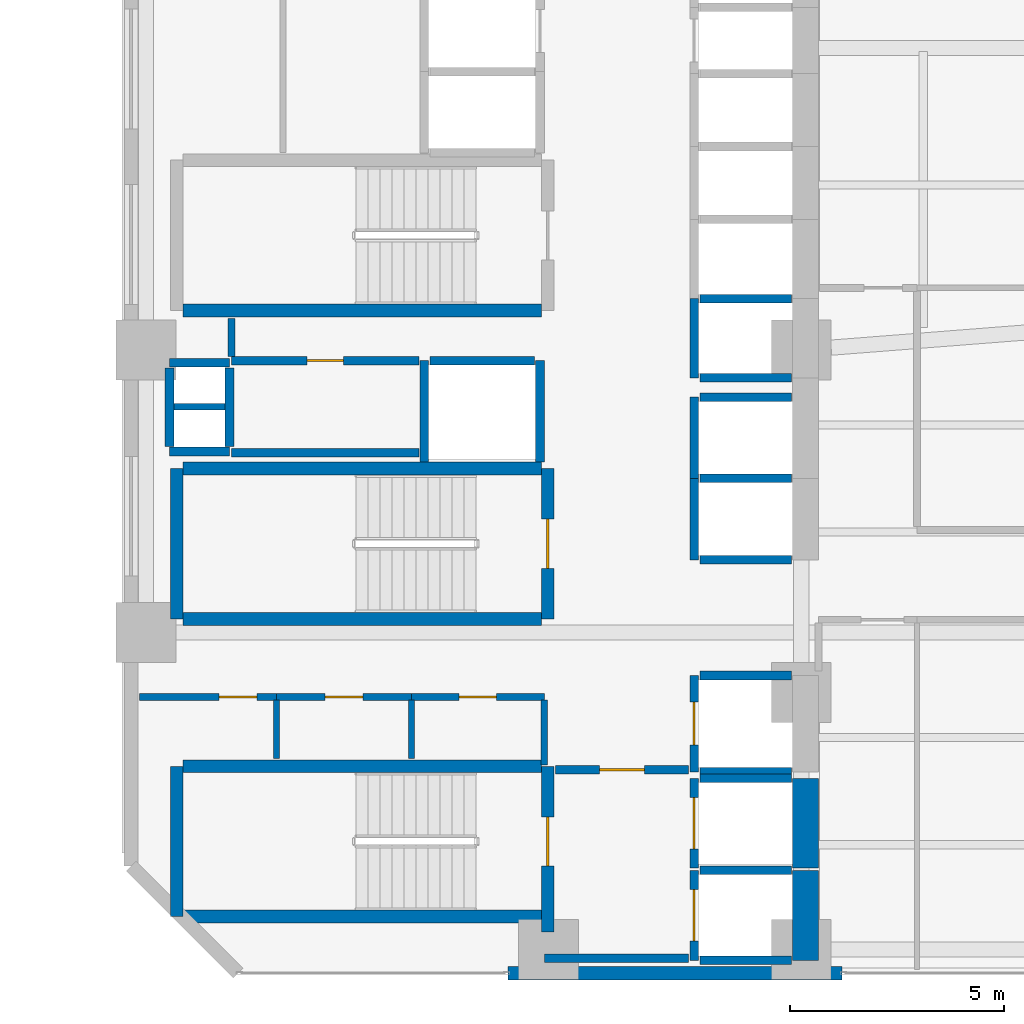
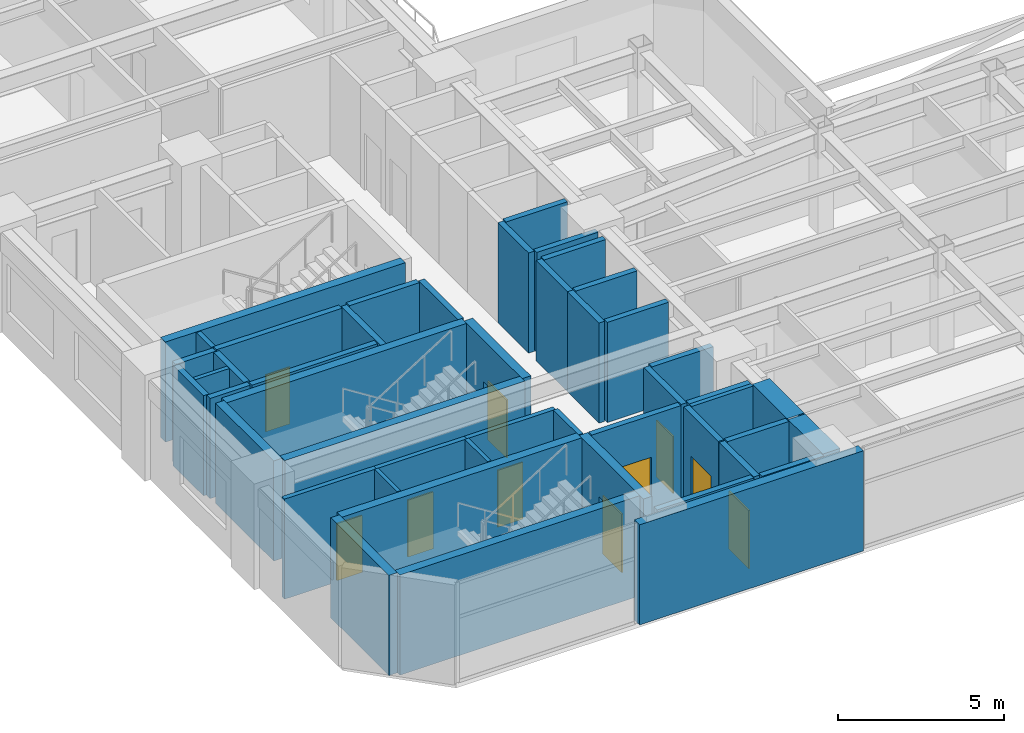
# One storey, part 9 of 17: 47 walls, 10 doors, 10 openings.
"""IFC4 building model written with IfcOpenShell, lengths in metres."""

from ifc_helpers import new_model, si_unit, direction, frame, frame_2d, origin, place, context, subcontext, project, spatial, rectangle, extrude, material, layer, layer_set, type_object, element, fill, save


model = new_model("IFC4")

# Units and contexts
model_context = context("Model", 3, precision=1e-05, world=origin(), true_north=direction((0.0, 1.0)))
body_context = subcontext(model_context, "Body", "Model", "MODEL_VIEW")
ifc_project = project(units=[si_unit("LENGTHUNIT", "METRE"), si_unit("AREAUNIT", "SQUARE_METRE"), si_unit("VOLUMEUNIT", "CUBIC_METRE"), si_unit("PLANEANGLEUNIT", "RADIAN"), si_unit("MASSUNIT", "GRAM", prefix="KILO")], contexts=[model_context])

# Site, building, storey
site_placement = place(None, origin())
site = spatial("IfcSite", under=ifc_project, at=site_placement, CompositionType="ELEMENT")
building_placement = place(site_placement, origin())
building = spatial("IfcBuilding", under=site, at=building_placement, Name="Mawjaban Terraces University", CompositionType="ELEMENT")
storey_placement = place(building_placement, frame((0.0, 0.0, 85.60009765625)))
storey = spatial("IfcBuildingStorey", under=building, at=storey_placement, Name="L20", CompositionType="ELEMENT", Elevation=85.60009765625)

# Walls
ifc_material_1 = material(Name="Concrete C70/85", Category="concrete")
ifc_layer_1 = layer(ifc_material_1, 0.60009765625)
ifc_layer_set_1 = layer_set([ifc_layer_1], Name="Concrete C70/85")
wall_type_1 = type_object("IfcWallType", Name="CoreShearWall_600", PredefinedType="SHEAR", material=ifc_layer_set_1)
wall_1_placement = place(storey_placement, frame((37.75, 0.300048828125, 0.0), z_axis=(0.0, 0.0, 1.0), x_axis=(0.0, 1.0, 0.0)))
element("IfcWall", 1, at=wall_1_placement, inside=storey, type_object=wall_type_1, Name="L20 Lift FL-1 Hoistway Wall East", PredefinedType="SHEAR", context=body_context, shape_type="SweptSolid", body=[
    extrude(rectangle(XDim=2.099853515625, YDim=0.60009765625, at=frame_2d((1.0498046875, 0.0))), origin(), (0.0, 0.0, 1.0), 3.68994140625),
])
wall_2_placement = place(storey_placement, frame((37.75, 2.449951171875, 0.0), z_axis=(0.0, 0.0, 1.0), x_axis=(0.0, 1.0, 0.0)))
element("IfcWall", 2, at=wall_2_placement, inside=storey, type_object=wall_type_1, Name="L20 Lift FL-2 Hoistway Wall East", PredefinedType="SHEAR", context=body_context, shape_type="SweptSolid", body=[
    extrude(rectangle(XDim=2.10009765625, YDim=0.60009765625, at=frame_2d((1.050048828125, 0.0))), origin(), (0.0, 0.0, 1.0), 3.68994140625),
])

# Wall, opening, door
ifc_material_2 = material(Name="Fire-rated gypsum board on steel stud", Category="steel")
ifc_layer_2 = layer(ifc_material_2, 0.159912109375)
ifc_layer_set_2 = layer_set([ifc_layer_2], Name="Fire-rated gypsum board on steel stud")
wall_type_2 = type_object("IfcWallType", Name="CorridorPartition_160", PredefinedType="PARTITIONING", material=ifc_layer_set_2)
wall_3_placement = place(storey_placement, frame((22.199951171875, 6.449951171875, 0.0), z_axis=(0.0, 0.0, 1.0), x_axis=(1.0, 0.0, 0.0)))
wall_3 = element("IfcWall", 3, at=wall_3_placement, inside=storey, type_object=wall_type_2, Name="L20 Core Washroom Lobby Partition 1", PredefinedType="PARTITIONING", context=body_context, shape_type="SweptSolid", body=[
    extrude(rectangle(XDim=3.199951171875, YDim=0.159912109375, at=frame_2d((1.60009765625, 0.0))), origin(), (0.0, 0.0, 1.0), 3.68994140625),
])
opening_1_placement = place(wall_3_placement, frame((1.860107421875, 0.0, 0.0)))
opening_1 = element("IfcOpeningElement", 4, at=opening_1_placement, cuts=wall_3, Name="Opening ID-088", PredefinedType="OPENING", context=body_context, shape_type="SweptSolid", body=[
    extrude(rectangle(XDim=0.8798828125, YDim=2.10009765625, at=frame_2d((0.43994140625, 1.050048828125))), frame((0.0, 0.08984375, 0.0), z_axis=(0.0, -1.0, 0.0), x_axis=(1.0, 0.0, 0.0)), (0.0, 0.0, 1.0), 0.179931640625),
])
ifc_material_3 = material(Name="Powder-coated steel frame and solid acoustic timber leaf", Category="steel")
door_type_1 = type_object("IfcDoorType", Name="ToiletDoor_880x2100", OperationType="NOTDEFINED", PredefinedType="DOOR", material=ifc_material_3)
door_1_placement = place(opening_1_placement, origin())
door_1 = element("IfcDoor", 5, at=door_1_placement, inside=storey, type_object=door_type_1, Name="L20 Male Toilet Door", OperationType="SINGLE_SWING_LEFT", OverallHeight=2.10009765625, OverallWidth=0.8798828125, PredefinedType="DOOR", context=body_context, shape_type="SweptSolid", body=[
    extrude(rectangle(XDim=0.8798828125, YDim=2.10009765625, at=frame_2d((0.43994140625, 1.050048828125))), frame((0.0, 0.02490234375, 0.0), z_axis=(0.0, -1.0, 0.0), x_axis=(1.0, 0.0, 0.0)), (0.0, 0.0, 1.0), 0.050048828125),
])
fill(opening_1, door_1)

wall_4_placement = place(storey_placement, frame((25.39990234375, 6.449951171875, 0.0), z_axis=(0.0, 0.0, 1.0), x_axis=(1.0, 0.0, 0.0)))
wall_4 = element("IfcWall", 6, at=wall_4_placement, inside=storey, type_object=wall_type_2, Name="L20 Core Washroom Lobby Partition 4", PredefinedType="PARTITIONING", context=body_context, shape_type="SweptSolid", body=[
    extrude(rectangle(XDim=3.150146484375, YDim=0.159912109375, at=frame_2d((1.5751953125, 0.0))), origin(), (0.0, 0.0, 1.0), 3.68994140625),
])
opening_2_placement = place(wall_4_placement, frame((1.135009765625, 0.0, 0.0)))
opening_2 = element("IfcOpeningElement", 7, at=opening_2_placement, cuts=wall_4, Name="Opening ID-088", PredefinedType="OPENING", context=body_context, shape_type="SweptSolid", body=[
    extrude(rectangle(XDim=0.8798828125, YDim=2.10009765625, at=frame_2d((0.43994140625, 1.050048828125))), frame((0.0, 0.08984375, 0.0), z_axis=(0.0, -1.0, 0.0), x_axis=(1.0, 0.0, 0.0)), (0.0, 0.0, 1.0), 0.179931640625),
])
door_2_placement = place(opening_2_placement, origin())
door_2 = element("IfcDoor", 8, at=door_2_placement, inside=storey, type_object=door_type_1, Name="L20 Female Toilet Door", OperationType="SINGLE_SWING_RIGHT", OverallHeight=2.10009765625, OverallWidth=0.8798828125, PredefinedType="DOOR", context=body_context, shape_type="SweptSolid", body=[
    extrude(rectangle(XDim=0.8798828125, YDim=2.10009765625, at=frame_2d((0.43994140625, 1.050048828125))), frame((0.0, 0.02490234375, 0.0), z_axis=(0.0, -1.0, 0.0), x_axis=(1.0, 0.0, 0.0)), (0.0, 0.0, 1.0), 0.050048828125),
])
fill(opening_2, door_2)

wall_5_placement = place(storey_placement, frame((28.550048828125, 6.449951171875, 0.0), z_axis=(0.0, 0.0, 1.0), x_axis=(1.0, 0.0, 0.0)))
wall_5 = element("IfcWall", 9, at=wall_5_placement, inside=storey, type_object=wall_type_2, Name="L20 Core Washroom Lobby Partition 6", PredefinedType="PARTITIONING", context=body_context, shape_type="SweptSolid", body=[
    extrude(rectangle(XDim=3.099853515625, YDim=0.159912109375, at=frame_2d((1.5498046875, 0.0))), origin(), (0.0, 0.0, 1.0), 3.68994140625),
])
opening_3_placement = place(wall_5_placement, frame((1.110107421875, 0.0, 0.0)))
opening_3 = element("IfcOpeningElement", 10, at=opening_3_placement, cuts=wall_5, Name="Opening ID-088", PredefinedType="OPENING", context=body_context, shape_type="SweptSolid", body=[
    extrude(rectangle(XDim=0.8798828125, YDim=2.10009765625, at=frame_2d((0.43994140625, 1.050048828125))), frame((0.0, 0.08984375, 0.0), z_axis=(0.0, -1.0, 0.0), x_axis=(1.0, 0.0, 0.0)), (0.0, 0.0, 1.0), 0.179931640625),
])
door_3_placement = place(opening_3_placement, origin())
door_3 = element("IfcDoor", 11, at=door_3_placement, inside=storey, type_object=door_type_1, Name="L20 Accessible Toilet Door", OperationType="SINGLE_SWING_LEFT", OverallHeight=2.10009765625, OverallWidth=0.8798828125, PredefinedType="DOOR", context=body_context, shape_type="SweptSolid", body=[
    extrude(rectangle(XDim=0.8798828125, YDim=2.10009765625, at=frame_2d((0.43994140625, 1.050048828125))), frame((0.0, 0.02490234375, 0.0), z_axis=(0.0, -1.0, 0.0), x_axis=(1.0, 0.0, 0.0)), (0.0, 0.0, 1.0), 0.050048828125),
])
fill(opening_3, door_3)

# Walls
wall_6_placement = place(storey_placement, frame((24.35009765625, 15.2900390625, 0.0), z_axis=(0.0, 0.0, 1.0), x_axis=(0.0, -1.0, 0.0)))
element("IfcWall", 12, at=wall_6_placement, inside=storey, type_object=wall_type_2, Name="L20 Core Riser Access Passage Partition 29", PredefinedType="PARTITIONING", context=body_context, shape_type="SweptSolid", body=[
    extrude(rectangle(XDim=0.89501953125, YDim=0.159912109375, at=frame_2d((0.447509765625, 0.0))), origin(), (0.0, 0.0, 1.0), 3.68994140625),
])
wall_7_placement = place(storey_placement, frame((31.64990234375, 4.860107421875, 0.0), z_axis=(0.0, 0.0, 1.0), x_axis=(0.0, 1.0, 0.0)))
element("IfcWall", 13, at=wall_7_placement, inside=storey, type_object=wall_type_2, Name="L20 Accessible Toilet Partition 40", PredefinedType="PARTITIONING", context=body_context, shape_type="SweptSolid", body=[
    extrude(rectangle(XDim=1.514892578125, YDim=0.159912109375, at=frame_2d((0.75732421875, 0.0))), origin(), (0.0, 0.0, 1.0), 3.68994140625),
])
ifc_material_4 = material(Name="Insulated terracotta rainscreen on concrete backup C40/50", Category="masonry")
ifc_layer_3 = layer(ifc_material_4, 0.320068359375)
ifc_layer_set_3 = layer_set([ifc_layer_3], Name="Insulated terracotta rainscreen on concrete backup C40/50")
wall_type_3 = type_object("IfcWallType", Name="ExtTerracottaWall_320", PredefinedType="SOLIDWALL", material=ifc_layer_set_3)
wall_8_placement = place(storey_placement, frame((30.800048828125, 0.0, 0.0), z_axis=(0.0, 0.0, 1.0), x_axis=(1.0, 0.0, 0.0)))
element("IfcWall", 14, at=wall_8_placement, inside=storey, type_object=wall_type_3, Name="L20 Exterior Terracotta Pier Wall 1.1", PredefinedType="SOLIDWALL", context=body_context, shape_type="SweptSolid", body=[
    extrude(rectangle(XDim=7.800048828125, YDim=0.320068359375, at=frame_2d((3.89990234375, 0.0))), origin(), (0.0, 0.0, 1.0), 3.68994140625),
])

# Wall, opening, door
ifc_material_5 = material(Name="Concrete C40/50", Category="concrete")
ifc_layer_4 = layer(ifc_material_5, 0.199951171875)
ifc_layer_set_4 = layer_set([ifc_layer_4], Name="Concrete C40/50")
wall_type_4 = type_object("IfcWallType", Name="FireLobbyWall_200", PredefinedType="SOLIDWALL", material=ifc_layer_set_4)
wall_9_placement = place(storey_placement, frame((35.14990234375, 2.39990234375, 0.0), z_axis=(0.0, 0.0, 1.0), x_axis=(0.0, -1.0, 0.0)))
wall_9 = element("IfcWall", 15, at=wall_9_placement, inside=storey, type_object=wall_type_4, Name="L20 Lift FL-1 Hoistway Wall West", PredefinedType="SOLIDWALL", context=body_context, shape_type="SweptSolid", body=[
    extrude(rectangle(XDim=2.099853515625, YDim=0.199951171875, at=frame_2d((1.0498046875, 0.0))), origin(), (0.0, 0.0, 1.0), 3.68994140625),
])
opening_4_placement = place(wall_9_placement, frame((0.449951171875, 0.0, 0.0)))
opening_4 = element("IfcOpeningElement", 16, at=opening_4_placement, cuts=wall_9, Name="Opening LD-FL-1", PredefinedType="OPENING", context=body_context, shape_type="SweptSolid", body=[
    extrude(rectangle(XDim=1.199951171875, YDim=2.14990234375, at=frame_2d((0.60009765625, 1.074951171875))), frame((0.0, 0.10986328125, 0.0), z_axis=(0.0, -1.0, 0.0), x_axis=(1.0, 0.0, 0.0)), (0.0, 0.0, 1.0), 0.219970703125),
])
ifc_material_6 = material(Name="Powder-coated steel frame and fire-rated steel-faced leaf", Category="steel")
door_type_2 = type_object("IfcDoorType", Name="LiftLandingFSAE_1200x2150", OperationType="NOTDEFINED", PredefinedType="DOOR", material=ifc_material_6)
door_4_placement = place(opening_4_placement, origin())
door_4 = element("IfcDoor", 17, at=door_4_placement, inside=storey, type_object=door_type_2, Name="L20 Lift FL-1 Sliding Landing Door", OperationType="DOUBLE_DOOR_SLIDING", OverallHeight=2.14990234375, OverallWidth=1.199951171875, PredefinedType="DOOR", context=body_context, shape_type="SweptSolid", body=[
    extrude(rectangle(XDim=1.199951171875, YDim=2.14990234375, at=frame_2d((0.60009765625, 1.074951171875))), frame((0.0, 0.02490234375, 0.0), z_axis=(0.0, -1.0, 0.0), x_axis=(1.0, 0.0, 0.0)), (0.0, 0.0, 1.0), 0.050048828125),
])
fill(opening_4, door_4)

# Walls
for number, where, z_axis, x_axis, name in (
    (18, (35.280029296875, 0.300048828125, 0.0), (0.0, 0.0, 1.0), (1.0, 0.0, 0.0), "L20 Lift FL-1 Hoistway Wall South"),
    (19, (37.419921875, 2.39990234375, 0.0), (0.0, 0.0, 1.0), (-1.0, 0.0, 0.0), "L20 Lift FL-1 Hoistway Wall North"),
):
    element("IfcWall", number, at=place(storey_placement, frame(where, z_axis=z_axis, x_axis=x_axis)), inside=storey, type_object=wall_type_4, Name=name, PredefinedType="SOLIDWALL", context=body_context, shape_type="SweptSolid", body=[
        extrude(rectangle(XDim=2.139892578125, YDim=0.199951171875, at=frame_2d((1.06982421875, 0.0))), origin(), (0.0, 0.0, 1.0), 3.68994140625),
    ])

# Wall, opening, door
wall_10_placement = place(storey_placement, frame((35.14990234375, 4.550048828125, 0.0), z_axis=(0.0, 0.0, 1.0), x_axis=(0.0, -1.0, 0.0)))
wall_10 = element("IfcWall", 20, at=wall_10_placement, inside=storey, type_object=wall_type_4, Name="L20 Lift FL-2 Hoistway Wall West", PredefinedType="SOLIDWALL", context=body_context, shape_type="SweptSolid", body=[
    extrude(rectangle(XDim=2.10009765625, YDim=0.199951171875, at=frame_2d((1.050048828125, 0.0))), origin(), (0.0, 0.0, 1.0), 3.68994140625),
])
opening_5_placement = place(wall_10_placement, frame((0.449951171875, 0.0, 0.0)))
opening_5 = element("IfcOpeningElement", 21, at=opening_5_placement, cuts=wall_10, Name="Opening LD-FL-2", PredefinedType="OPENING", context=body_context, shape_type="SweptSolid", body=[
    extrude(rectangle(XDim=1.199951171875, YDim=2.14990234375, at=frame_2d((0.60009765625, 1.074951171875))), frame((0.0, 0.10986328125, 0.0), z_axis=(0.0, -1.0, 0.0), x_axis=(1.0, 0.0, 0.0)), (0.0, 0.0, 1.0), 0.219970703125),
])
door_5_placement = place(opening_5_placement, origin())
door_5 = element("IfcDoor", 22, at=door_5_placement, inside=storey, type_object=door_type_2, Name="L20 Lift FL-2 Sliding Landing Door", OperationType="DOUBLE_DOOR_SLIDING", OverallHeight=2.14990234375, OverallWidth=1.199951171875, PredefinedType="DOOR", context=body_context, shape_type="SweptSolid", body=[
    extrude(rectangle(XDim=1.199951171875, YDim=2.14990234375, at=frame_2d((0.60009765625, 1.074951171875))), frame((0.0, 0.02490234375, 0.0), z_axis=(0.0, -1.0, 0.0), x_axis=(1.0, 0.0, 0.0)), (0.0, 0.0, 1.0), 0.050048828125),
])
fill(opening_5, door_5)

# Wall
wall_11_placement = place(storey_placement, frame((37.419921875, 4.550048828125, 0.0), z_axis=(0.0, 0.0, 1.0), x_axis=(-1.0, 0.0, 0.0)))
element("IfcWall", 23, at=wall_11_placement, inside=storey, type_object=wall_type_4, Name="L20 Lift FL-2 Hoistway Wall North", PredefinedType="SOLIDWALL", context=body_context, shape_type="SweptSolid", body=[
    extrude(rectangle(XDim=2.139892578125, YDim=0.199951171875, at=frame_2d((1.06982421875, 0.0))), origin(), (0.0, 0.0, 1.0), 3.68994140625),
])

# Wall, opening, door
wall_12_placement = place(storey_placement, frame((35.14990234375, 6.949951171875, 0.0), z_axis=(0.0, 0.0, 1.0), x_axis=(0.0, -1.0, 0.0)))
wall_12 = element("IfcWall", 24, at=wall_12_placement, inside=storey, type_object=wall_type_4, Name="L20 Lift SL-1 Hoistway Wall West", PredefinedType="SOLIDWALL", context=body_context, shape_type="SweptSolid", body=[
    extrude(rectangle(XDim=2.25, YDim=0.199951171875, at=frame_2d((1.125, 0.0))), origin(), (0.0, 0.0, 1.0), 3.68994140625),
])
opening_6_placement = place(wall_12_placement, frame((0.625, 0.0, 0.0)))
opening_6 = element("IfcOpeningElement", 25, at=opening_6_placement, cuts=wall_12, Name="Opening LD-SL-1", PredefinedType="OPENING", context=body_context, shape_type="SweptSolid", body=[
    extrude(rectangle(XDim=1.0, YDim=2.10009765625, at=frame_2d((0.5, 1.050048828125))), frame((0.0, 0.10986328125, 0.0), z_axis=(0.0, -1.0, 0.0), x_axis=(1.0, 0.0, 0.0)), (0.0, 0.0, 1.0), 0.219970703125),
])
door_type_3 = type_object("IfcDoorType", Name="LiftLandingSliding_1000x2100", OperationType="NOTDEFINED", PredefinedType="DOOR", material=ifc_material_6)
door_6_placement = place(opening_6_placement, origin())
door_6 = element("IfcDoor", 26, at=door_6_placement, inside=storey, type_object=door_type_3, Name="L20 Lift SL-1 Sliding Landing Door", OperationType="DOUBLE_DOOR_SLIDING", OverallHeight=2.10009765625, OverallWidth=1.0, PredefinedType="DOOR", context=body_context, shape_type="SweptSolid", body=[
    extrude(rectangle(XDim=1.0, YDim=2.10009765625, at=frame_2d((0.5, 1.050048828125))), frame((0.0, 0.02490234375, 0.0), z_axis=(0.0, -1.0, 0.0), x_axis=(1.0, 0.0, 0.0)), (0.0, 0.0, 1.0), 0.050048828125),
])
fill(opening_6, door_6)

# Walls
for number, where, z_axis, x_axis, name in (
    (27, (35.280029296875, 4.699951171875, 0.0), (0.0, 0.0, 1.0), (1.0, 0.0, 0.0), "L20 Lift SL-1 Hoistway Wall South"),
    (28, (37.419921875, 6.949951171875, 0.0), (0.0, 0.0, 1.0), (-1.0, 0.0, 0.0), "L20 Lift SL-1 Hoistway Wall North"),
):
    element("IfcWall", number, at=place(storey_placement, frame(where, z_axis=z_axis, x_axis=x_axis)), inside=storey, type_object=wall_type_4, Name=name, PredefinedType="SOLIDWALL", context=body_context, shape_type="SweptSolid", body=[
        extrude(rectangle(XDim=2.139892578125, YDim=0.199951171875, at=frame_2d((1.06982421875, 0.0))), origin(), (0.0, 0.0, 1.0), 3.68994140625),
    ])
wall_13_placement = place(storey_placement, frame((35.14990234375, 11.550048828125, 0.0), z_axis=(0.0, 0.0, 1.0), x_axis=(0.0, -1.0, 0.0)))
element("IfcWall", 29, at=wall_13_placement, inside=storey, type_object=wall_type_4, Name="L20 Lift PL-H1 Hoistway Wall West", PredefinedType="SOLIDWALL", context=body_context, shape_type="SweptSolid", body=[
    extrude(rectangle(XDim=1.900146484375, YDim=0.199951171875, at=frame_2d((0.9501953125, 0.0))), origin(), (0.0, 0.0, 1.0), 3.68994140625),
])
for number, where, z_axis, x_axis, name in (
    (30, (35.280029296875, 9.64990234375, 0.0), (0.0, 0.0, 1.0), (1.0, 0.0, 0.0), "L20 Lift PL-H1 Hoistway Wall South"),
    (31, (37.419921875, 11.550048828125, 0.0), (0.0, 0.0, 1.0), (-1.0, 0.0, 0.0), "L20 Lift PL-H1 Hoistway Wall North"),
):
    element("IfcWall", number, at=place(storey_placement, frame(where, z_axis=z_axis, x_axis=x_axis)), inside=storey, type_object=wall_type_4, Name=name, PredefinedType="SOLIDWALL", context=body_context, shape_type="SweptSolid", body=[
        extrude(rectangle(XDim=2.139892578125, YDim=0.199951171875, at=frame_2d((1.06982421875, 0.0))), origin(), (0.0, 0.0, 1.0), 3.68994140625),
    ])
wall_14_placement = place(storey_placement, frame((35.14990234375, 13.449951171875, 0.0), z_axis=(0.0, 0.0, 1.0), x_axis=(0.0, -1.0, 0.0)))
element("IfcWall", 32, at=wall_14_placement, inside=storey, type_object=wall_type_4, Name="L20 Lift PL-H2 Hoistway Wall West", PredefinedType="SOLIDWALL", context=body_context, shape_type="SweptSolid", body=[
    extrude(rectangle(XDim=1.89990234375, YDim=0.199951171875, at=frame_2d((0.949951171875, 0.0))), origin(), (0.0, 0.0, 1.0), 3.68994140625),
])
wall_15_placement = place(storey_placement, frame((37.419921875, 13.449951171875, 0.0), z_axis=(0.0, 0.0, 1.0), x_axis=(-1.0, 0.0, 0.0)))
element("IfcWall", 33, at=wall_15_placement, inside=storey, type_object=wall_type_4, Name="L20 Lift PL-H2 Hoistway Wall North", PredefinedType="SOLIDWALL", context=body_context, shape_type="SweptSolid", body=[
    extrude(rectangle(XDim=2.139892578125, YDim=0.199951171875, at=frame_2d((1.06982421875, 0.0))), origin(), (0.0, 0.0, 1.0), 3.68994140625),
])
for number, where, z_axis, x_axis, name in (
    (34, (28.85009765625, 14.300048828125, 0.0), (0.0, 0.0, 1.0), (0.0, -1.0, 0.0), "L20 Lift PL-H3 Hoistway Wall West"),
    (35, (31.550048828125, 11.929931640625, 0.0), (0.0, 0.0, 1.0), (0.0, 1.0, 0.0), "L20 Lift PL-H3 Hoistway Wall East"),
):
    element("IfcWall", number, at=place(storey_placement, frame(where, z_axis=z_axis, x_axis=x_axis)), inside=storey, type_object=wall_type_4, Name=name, PredefinedType="SOLIDWALL", context=body_context, shape_type="SweptSolid", body=[
        extrude(rectangle(XDim=2.3701171875, YDim=0.199951171875, at=frame_2d((1.18505859375, 0.0))), origin(), (0.0, 0.0, 1.0), 3.68994140625),
    ])
wall_16_placement = place(storey_placement, frame((31.419921875, 14.300048828125, 0.0), z_axis=(0.0, 0.0, 1.0), x_axis=(-1.0, 0.0, 0.0)))
element("IfcWall", 36, at=wall_16_placement, inside=storey, type_object=wall_type_4, Name="L20 Lift PL-H3 Hoistway Wall North", PredefinedType="SOLIDWALL", context=body_context, shape_type="SweptSolid", body=[
    extrude(rectangle(XDim=2.43994140625, YDim=0.199951171875, at=frame_2d((1.219970703125, 0.0))), origin(), (0.0, 0.0, 1.0), 3.68994140625),
])
wall_17_placement = place(storey_placement, frame((35.14990234375, 15.75, 0.0), z_axis=(0.0, 0.0, 1.0), x_axis=(0.0, -1.0, 0.0)))
element("IfcWall", 37, at=wall_17_placement, inside=storey, type_object=wall_type_4, Name="L20 Lift OL-1 Hoistway Wall West", PredefinedType="SOLIDWALL", context=body_context, shape_type="SweptSolid", body=[
    extrude(rectangle(XDim=1.85009765625, YDim=0.199951171875, at=frame_2d((0.925048828125, 0.0))), origin(), (0.0, 0.0, 1.0), 3.68994140625),
])
for number, where, z_axis, x_axis, name in (
    (38, (35.280029296875, 13.89990234375, 0.0), (0.0, 0.0, 1.0), (1.0, 0.0, 0.0), "L20 Lift OL-1 Hoistway Wall South"),
    (39, (37.419921875, 15.75, 0.0), (0.0, 0.0, 1.0), (-1.0, 0.0, 0.0), "L20 Lift OL-1 Hoistway Wall North"),
):
    element("IfcWall", number, at=place(storey_placement, frame(where, z_axis=z_axis, x_axis=x_axis)), inside=storey, type_object=wall_type_4, Name=name, PredefinedType="SOLIDWALL", context=body_context, shape_type="SweptSolid", body=[
        extrude(rectangle(XDim=2.139892578125, YDim=0.199951171875, at=frame_2d((1.06982421875, 0.0))), origin(), (0.0, 0.0, 1.0), 3.68994140625),
    ])
for number, where, z_axis, x_axis, name in (
    (40, (22.89990234375, 14.25, 0.0), (0.0, 0.0, 1.0), (1.0, 0.0, 0.0), "L20 MEP Riser Shaft Wall N"),
    (41, (22.89990234375, 12.179931640625, 0.0), (0.0, 0.0, 1.0), (1.0, 0.0, 0.0), "L20 MEP Riser Shaft Wall S"),
):
    element("IfcWall", number, at=place(storey_placement, frame(where, z_axis=z_axis, x_axis=x_axis)), inside=storey, type_object=wall_type_4, Name=name, PredefinedType="SOLIDWALL", context=body_context, shape_type="SweptSolid", body=[
        extrude(rectangle(XDim=1.400146484375, YDim=0.199951171875, at=frame_2d((0.7001953125, 0.0))), origin(), (0.0, 0.0, 1.0), 3.68994140625),
    ])
for number, where, z_axis, x_axis, name in (
    (42, (24.300048828125, 12.300048828125, 0.0), (0.0, 0.0, 1.0), (0.0, 1.0, 0.0), "L20 MEP Riser Shaft Wall E"),
    (43, (22.89990234375, 12.300048828125, 0.0), (0.0, 0.0, 1.0), (0.0, 1.0, 0.0), "L20 MEP Riser Shaft Wall W"),
):
    element("IfcWall", number, at=place(storey_placement, frame(where, z_axis=z_axis, x_axis=x_axis)), inside=storey, type_object=wall_type_4, Name=name, PredefinedType="SOLIDWALL", context=body_context, shape_type="SweptSolid", body=[
        extrude(rectangle(XDim=1.829833984375, YDim=0.199951171875, at=frame_2d((0.9150390625, 0.0))), origin(), (0.0, 0.0, 1.0), 3.68994140625),
    ])
wall_18_placement = place(storey_placement, frame((24.35009765625, 12.14990234375, 0.0), z_axis=(0.0, 0.0, 1.0), x_axis=(1.0, 0.0, 0.0)))
element("IfcWall", 44, at=wall_18_placement, inside=storey, type_object=wall_type_4, Name="L20 IT and Telecoms Riser Room Partition 2", PredefinedType="SOLIDWALL", context=body_context, shape_type="SweptSolid", body=[
    extrude(rectangle(XDim=4.369873046875, YDim=0.199951171875, at=frame_2d((2.18505859375, 0.0))), origin(), (0.0, 0.0, 1.0), 3.68994140625),
])

# Wall, opening, door
wall_19_placement = place(storey_placement, frame((24.35009765625, 14.300048828125, 0.0), z_axis=(0.0, 0.0, 1.0), x_axis=(1.0, 0.0, 0.0)))
wall_19 = element("IfcWall", 45, at=wall_19_placement, inside=storey, type_object=wall_type_4, Name="L20 Core Riser Access Passage Partition 3", PredefinedType="SOLIDWALL", context=body_context, shape_type="SweptSolid", body=[
    extrude(rectangle(XDim=4.369873046875, YDim=0.199951171875, at=frame_2d((2.18505859375, 0.0))), origin(), (0.0, 0.0, 1.0), 3.68994140625),
])
opening_7_placement = place(wall_19_placement, frame((1.760009765625, 0.0, 0.0)))
opening_7 = element("IfcOpeningElement", 46, at=opening_7_placement, cuts=wall_19, Name="Opening FD-085", PredefinedType="OPENING", context=body_context, shape_type="SweptSolid", body=[
    extrude(rectangle(XDim=0.85009765625, YDim=2.10009765625, at=frame_2d((0.425048828125, 1.050048828125))), frame((0.0, 0.10986328125, 0.0), z_axis=(0.0, -1.0, 0.0), x_axis=(1.0, 0.0, 0.0)), (0.0, 0.0, 1.0), 0.219970703125),
])
door_type_4 = type_object("IfcDoorType", Name="FireRiserDoor_850x2100", OperationType="NOTDEFINED", PredefinedType="DOOR", material=ifc_material_6)
door_7_placement = place(opening_7_placement, origin())
door_7 = element("IfcDoor", 47, at=door_7_placement, inside=storey, type_object=door_type_4, Name="L20 IT and Telecoms Riser Room Door", OperationType="SINGLE_SWING_RIGHT", OverallHeight=2.10009765625, OverallWidth=0.85009765625, PredefinedType="DOOR", context=body_context, shape_type="SweptSolid", body=[
    extrude(rectangle(XDim=0.85009765625, YDim=2.10009765625, at=frame_2d((0.425048828125, 1.050048828125))), frame((0.0, 0.02490234375, 0.0), z_axis=(0.0, -1.0, 0.0), x_axis=(1.0, 0.0, 0.0)), (0.0, 0.0, 1.0), 0.050048828125),
])
fill(opening_7, door_7)

# Wall
wall_20_placement = place(storey_placement, frame((31.64990234375, 0.35009765625, 0.0), z_axis=(0.0, 0.0, 1.0), x_axis=(1.0, 0.0, 0.0)))
element("IfcWall", 48, at=wall_20_placement, inside=storey, type_object=wall_type_4, Name="L20 Firefighting Lift Lobby Partition 12", PredefinedType="SOLIDWALL", context=body_context, shape_type="SweptSolid", body=[
    extrude(rectangle(XDim=3.3701171875, YDim=0.199951171875, at=frame_2d((1.68505859375, 0.0))), origin(), (0.0, 0.0, 1.0), 3.68994140625),
])

# Wall, opening, door
wall_21_placement = place(storey_placement, frame((35.02001953125, 4.75, 0.0), z_axis=(0.0, 0.0, 1.0), x_axis=(-1.0, 0.0, 0.0)))
wall_21 = element("IfcWall", 49, at=wall_21_placement, inside=storey, type_object=wall_type_4, Name="L20 Firefighting Lift Lobby Partition 13", PredefinedType="SOLIDWALL", context=body_context, shape_type="SweptSolid", body=[
    extrude(rectangle(XDim=3.110107421875, YDim=0.199951171875, at=frame_2d((1.55517578125, 0.0))), origin(), (0.0, 0.0, 1.0), 3.68994140625),
])
opening_8_placement = place(wall_21_placement, frame((1.030029296875, 0.0, 0.0)))
opening_8 = element("IfcOpeningElement", 50, at=opening_8_placement, cuts=wall_21, Name="Opening FD-105", PredefinedType="OPENING", context=body_context, shape_type="SweptSolid", body=[
    extrude(rectangle(XDim=1.050048828125, YDim=2.14990234375, at=frame_2d((0.52490234375, 1.074951171875))), frame((0.0, 0.10986328125, 0.0), z_axis=(0.0, -1.0, 0.0), x_axis=(1.0, 0.0, 0.0)), (0.0, 0.0, 1.0), 0.219970703125),
])
door_type_5 = type_object("IfcDoorType", Name="FireLobbyDoor_1050x2150", OperationType="NOTDEFINED", PredefinedType="DOOR", material=ifc_material_6)
door_8_placement = place(opening_8_placement, origin())
door_8 = element("IfcDoor", 51, at=door_8_placement, inside=storey, type_object=door_type_5, Name="L20 Firefighting Lift Lobby Door", OperationType="SINGLE_SWING_RIGHT", OverallHeight=2.14990234375, OverallWidth=1.050048828125, PredefinedType="DOOR", context=body_context, shape_type="SweptSolid", body=[
    extrude(rectangle(XDim=1.050048828125, YDim=2.14990234375, at=frame_2d((0.52490234375, 1.074951171875))), frame((0.0, 0.02490234375, 0.0), z_axis=(0.0, -1.0, 0.0), x_axis=(1.0, 0.0, 0.0)), (0.0, 0.0, 1.0), 0.050048828125),
])
fill(opening_8, door_8)

# Walls
ifc_material_7 = material(Name="Moisture-resistant gypsum board on steel stud", Category="steel")
ifc_layer_5 = layer(ifc_material_7, 0.14501953125)
ifc_layer_set_5 = layer_set([ifc_layer_5], Name="Moisture-resistant gypsum board on steel stud")
wall_type_5 = type_object("IfcWallType", Name="LabPartition_145", PredefinedType="PARTITIONING", material=ifc_layer_set_5)
wall_22_placement = place(storey_placement, frame((23.010009765625, 13.22509765625, 0.0), z_axis=(0.0, 0.0, 1.0), x_axis=(1.0, 0.0, 0.0)))
element("IfcWall", 52, at=wall_22_placement, inside=storey, type_object=wall_type_5, Name="L20 MEP Riser Shaft Wall M", PredefinedType="PARTITIONING", context=body_context, shape_type="SweptSolid", body=[
    extrude(rectangle(XDim=1.179931640625, YDim=0.14501953125, at=frame_2d((0.58984375, 0.0))), origin(), (0.0, 0.0, 1.0), 3.68994140625),
])
ifc_material_8 = material(Name="Concrete C60/75", Category="concrete")
ifc_layer_6 = layer(ifc_material_8, 0.300048828125)
ifc_layer_set_6 = layer_set([ifc_layer_6], Name="Concrete C60/75")
wall_type_6 = type_object("IfcWallType", Name="StairShaftWall_300", PredefinedType="SHEAR", material=ifc_layer_set_6)
wall_23_placement = place(storey_placement, frame((31.580078125, 4.830078125, 0.0), z_axis=(0.0, 0.0, 1.0), x_axis=(-1.0, 0.0, 0.0)))
element("IfcWall", 53, at=wall_23_placement, inside=storey, type_object=wall_type_6, Name="L20 ST-1 Stair Shaft Wall 1", PredefinedType="SHEAR", context=body_context, shape_type="SweptSolid", body=[
    extrude(rectangle(XDim=8.360107421875, YDim=0.300048828125, at=frame_2d((4.18017578125, 0.0))), origin(), (0.0, 0.0, 1.0), 3.68994140625),
])
wall_24_placement = place(storey_placement, frame((23.070068359375, 4.830078125, 0.0), z_axis=(0.0, 0.0, 1.0), x_axis=(0.0, -1.0, 0.0)))
element("IfcWall", 54, at=wall_24_placement, inside=storey, type_object=wall_type_6, Name="L20 ST-1 Stair Shaft Wall 2", PredefinedType="SHEAR", context=body_context, shape_type="SweptSolid", body=[
    extrude(rectangle(XDim=3.510009765625, YDim=0.300048828125, at=frame_2d((1.7548828125, 0.0))), origin(), (0.0, 0.0, 1.0), 3.68994140625),
])
wall_25_placement = place(storey_placement, frame((23.219970703125, 1.320068359375, 0.0), z_axis=(0.0, 0.0, 1.0), x_axis=(1.0, 0.0, 0.0)))
element("IfcWall", 55, at=wall_25_placement, inside=storey, type_object=wall_type_6, Name="L20 ST-1 Stair Shaft Wall 3", PredefinedType="SHEAR", context=body_context, shape_type="SweptSolid", body=[
    extrude(rectangle(XDim=8.360107421875, YDim=0.300048828125, at=frame_2d((4.18017578125, 0.0))), origin(), (0.0, 0.0, 1.0), 3.68994140625),
])

# Wall, opening, door
wall_26_placement = place(storey_placement, frame((31.72998046875, 0.9599609375, 0.0), z_axis=(0.0, 0.0, 1.0), x_axis=(0.0, 1.0, 0.0)))
wall_26 = element("IfcWall", 56, at=wall_26_placement, inside=storey, type_object=wall_type_6, Name="L20 ST-1 Stair Shaft Wall 4", PredefinedType="SHEAR", context=body_context, shape_type="SweptSolid", body=[
    extrude(rectangle(XDim=3.8701171875, YDim=0.300048828125, at=frame_2d((1.93505859375, 0.0))), origin(), (0.0, 0.0, 1.0), 3.68994140625),
])
opening_9_placement = place(wall_26_placement, frame((1.5400390625, 0.0, 0.0)))
opening_9 = element("IfcOpeningElement", 57, at=opening_9_placement, cuts=wall_26, Name="Opening FD-115", PredefinedType="OPENING", context=body_context, shape_type="SweptSolid", body=[
    extrude(rectangle(XDim=1.14990234375, YDim=2.14990234375, at=frame_2d((0.574951171875, 1.074951171875))), frame((0.0, 0.159912109375, 0.0), z_axis=(0.0, -1.0, 0.0), x_axis=(1.0, 0.0, 0.0)), (0.0, 0.0, 1.0), 0.320068359375),
])
door_type_6 = type_object("IfcDoorType", Name="FireStairDoor_1150x2150", OperationType="NOTDEFINED", PredefinedType="DOOR", material=ifc_material_6)
door_9_placement = place(opening_9_placement, origin())
door_9 = element("IfcDoor", 58, at=door_9_placement, inside=storey, type_object=door_type_6, Name="L20 ST-1 Pressurised Stair Fire Door", OperationType="SINGLE_SWING_LEFT", OverallHeight=2.14990234375, OverallWidth=1.14990234375, PredefinedType="DOOR", context=body_context, shape_type="SweptSolid", body=[
    extrude(rectangle(XDim=1.14990234375, YDim=2.14990234375, at=frame_2d((0.574951171875, 1.074951171875))), frame((0.0, 0.02490234375, 0.0), z_axis=(0.0, -1.0, 0.0), x_axis=(1.0, 0.0, 0.0)), (0.0, 0.0, 1.0), 0.050048828125),
])
fill(opening_9, door_9)

# Walls
for number, where, z_axis, x_axis, name in (
    (59, (23.219970703125, 15.469970703125, 0.0), (0.0, 0.0, 1.0), (1.0, 0.0, 0.0), "L20 ST-2 Stair Shaft Wall 3"),
    (60, (31.580078125, 11.780029296875, 0.0), (0.0, 0.0, 1.0), (-1.0, 0.0, 0.0), "L20 ST-3 Stair Shaft Wall 1"),
):
    element("IfcWall", number, at=place(storey_placement, frame(where, z_axis=z_axis, x_axis=x_axis)), inside=storey, type_object=wall_type_6, Name=name, PredefinedType="SHEAR", context=body_context, shape_type="SweptSolid", body=[
        extrude(rectangle(XDim=8.360107421875, YDim=0.300048828125, at=frame_2d((4.18017578125, 0.0))), origin(), (0.0, 0.0, 1.0), 3.68994140625),
    ])
wall_27_placement = place(storey_placement, frame((23.070068359375, 11.780029296875, 0.0), z_axis=(0.0, 0.0, 1.0), x_axis=(0.0, -1.0, 0.0)))
element("IfcWall", 61, at=wall_27_placement, inside=storey, type_object=wall_type_6, Name="L20 ST-3 Stair Shaft Wall 2", PredefinedType="SHEAR", context=body_context, shape_type="SweptSolid", body=[
    extrude(rectangle(XDim=3.510009765625, YDim=0.300048828125, at=frame_2d((1.7548828125, 0.0))), origin(), (0.0, 0.0, 1.0), 3.68994140625),
])
wall_28_placement = place(storey_placement, frame((23.219970703125, 8.27001953125, 0.0), z_axis=(0.0, 0.0, 1.0), x_axis=(1.0, 0.0, 0.0)))
element("IfcWall", 62, at=wall_28_placement, inside=storey, type_object=wall_type_6, Name="L20 ST-3 Stair Shaft Wall 3", PredefinedType="SHEAR", context=body_context, shape_type="SweptSolid", body=[
    extrude(rectangle(XDim=8.360107421875, YDim=0.300048828125, at=frame_2d((4.18017578125, 0.0))), origin(), (0.0, 0.0, 1.0), 3.68994140625),
])

# Wall, opening, door
wall_29_placement = place(storey_placement, frame((31.72998046875, 8.27001953125, 0.0), z_axis=(0.0, 0.0, 1.0), x_axis=(0.0, 1.0, 0.0)))
wall_29 = element("IfcWall", 63, at=wall_29_placement, inside=storey, type_object=wall_type_6, Name="L20 ST-3 Stair Shaft Wall 4", PredefinedType="SHEAR", context=body_context, shape_type="SweptSolid", body=[
    extrude(rectangle(XDim=3.510009765625, YDim=0.300048828125, at=frame_2d((1.7548828125, 0.0))), origin(), (0.0, 0.0, 1.0), 3.68994140625),
])
opening_10_placement = place(wall_29_placement, frame((1.179931640625, 0.0, 0.0)))
opening_10 = element("IfcOpeningElement", 64, at=opening_10_placement, cuts=wall_29, Name="Opening FD-115", PredefinedType="OPENING", context=body_context, shape_type="SweptSolid", body=[
    extrude(rectangle(XDim=1.14990234375, YDim=2.14990234375, at=frame_2d((0.574951171875, 1.074951171875))), frame((0.0, 0.159912109375, 0.0), z_axis=(0.0, -1.0, 0.0), x_axis=(1.0, 0.0, 0.0)), (0.0, 0.0, 1.0), 0.320068359375),
])
door_10_placement = place(opening_10_placement, origin())
door_10 = element("IfcDoor", 65, at=door_10_placement, inside=storey, type_object=door_type_6, Name="L20 ST-3 Pressurised Stair Fire Door", OperationType="SINGLE_SWING_LEFT", OverallHeight=2.14990234375, OverallWidth=1.14990234375, PredefinedType="DOOR", context=body_context, shape_type="SweptSolid", body=[
    extrude(rectangle(XDim=1.14990234375, YDim=2.14990234375, at=frame_2d((0.574951171875, 1.074951171875))), frame((0.0, 0.02490234375, 0.0), z_axis=(0.0, -1.0, 0.0), x_axis=(1.0, 0.0, 0.0)), (0.0, 0.0, 1.0), 0.050048828125),
])
fill(opening_10, door_10)

# Walls
ifc_material_9 = material(Name="Cement-board wet-room partition", Category="masonry")
ifc_layer_7 = layer(ifc_material_9, 0.135009765625)
ifc_layer_set_7 = layer_set([ifc_layer_7], Name="Cement-board wet-room partition")
wall_type_7 = type_object("IfcWallType", Name="WetRoomPartition_135", PredefinedType="PARTITIONING", material=ifc_layer_set_7)
for number, where, z_axis, x_axis, name in (
    (66, (25.39990234375, 5.010009765625, 0.0), (0.0, 0.0, 1.0), (0.0, 1.0, 0.0), "L20 Male Toilet Partition 30"),
    (67, (28.550048828125, 5.010009765625, 0.0), (0.0, 0.0, 1.0), (0.0, 1.0, 0.0), "L20 Female Toilet Partition 32"),
):
    element("IfcWall", number, at=place(storey_placement, frame(where, z_axis=z_axis, x_axis=x_axis)), inside=storey, type_object=wall_type_7, Name=name, PredefinedType="PARTITIONING", context=body_context, shape_type="SweptSolid", body=[
        extrude(rectangle(XDim=1.364990234375, YDim=0.135009765625, at=frame_2d((0.6826171875, 0.0))), origin(), (0.0, 0.0, 1.0), 3.68994140625),
    ])

save(model, "model.ifc")
